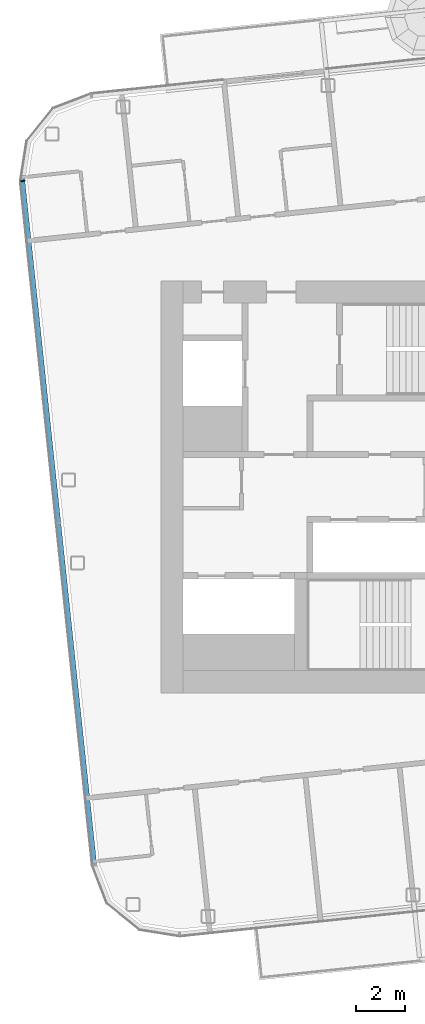
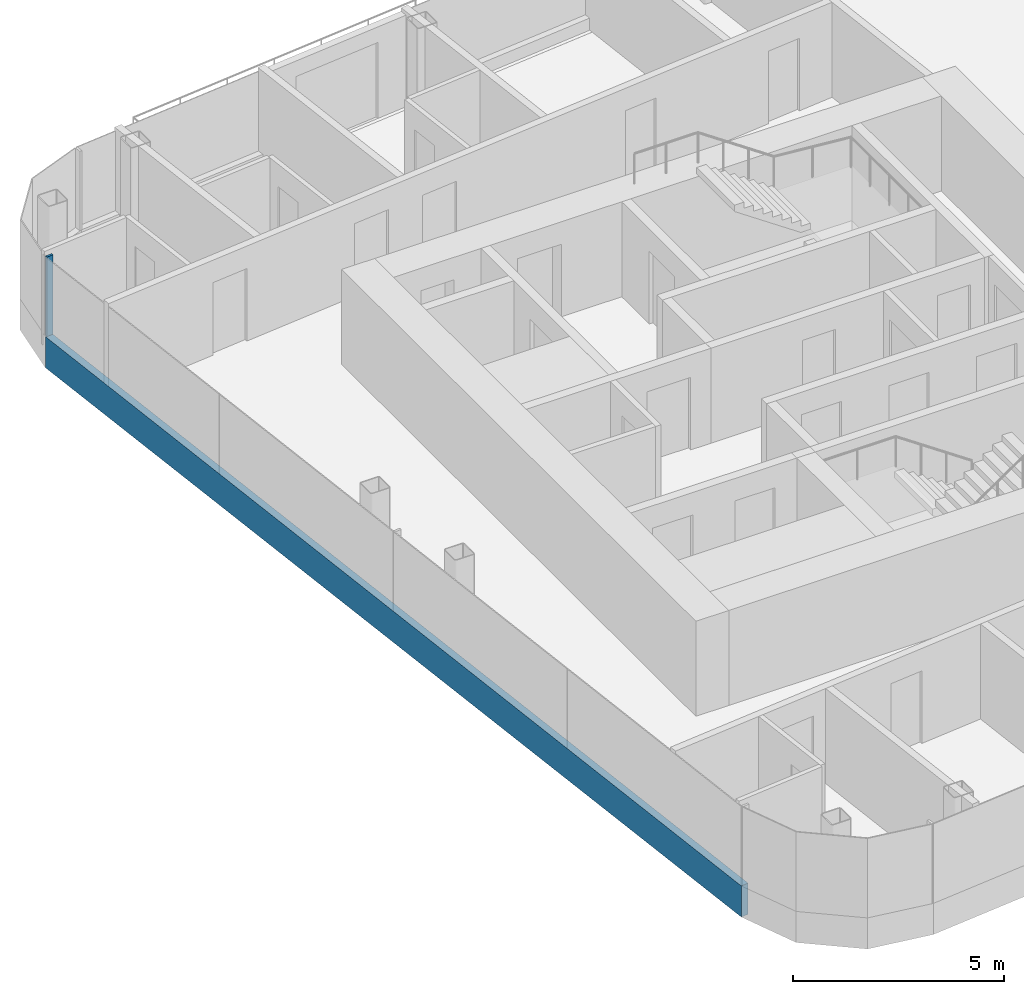
# One storey, part 4 of 30: 2 members, 1 element without a shape of its own.
"""IFC4 building model written with IfcOpenShell, lengths in metres."""

import ifcopenshell
import ifcopenshell.guid

model = None  # the IFC model being written
_history = None  # IfcOwnerHistory: only IFC2X3 demands one
_inside = {}  # id of a spatial element -> (the spatial element, [elements in it])
_under = {}  # id of a project, library or spatial element -> (it, [spatial elements below it])
_declared = {}  # id of a project -> (the project, [libraries it declares])
_typed = {}  # id of a type object -> (the type object, [elements of that type])
_made_of = {}  # id of a material, layer set ... -> (it, [elements and type objects made of it])


def new_model(schema):
    """Start an empty IFC model of exactly this schema.

    Asked for "IFC4X3", IfcOpenShell would pick the latest addendum, in which some entities
    have other attributes; the version numbers below select the first issue.
    IFC2X3 requires an IfcOwnerHistory on every rooted entity: one is made here for all.
    """
    global model, _history
    if schema == "IFC4X3":
        model = ifcopenshell.file(schema_version=(4, 3, 0, 0))
    else:
        model = ifcopenshell.file(schema=schema)
    _inside.clear()
    _under.clear()
    _declared.clear()
    _typed.clear()
    _made_of.clear()
    _history = None
    if model.schema == "IFC2X3":
        org = make("IfcOrganization", Name="unknown")
        user = make(
            "IfcPersonAndOrganization",
            ThePerson=make("IfcPerson", FamilyName="unknown"),
            TheOrganization=org,
        )
        app = make(
            "IfcApplication",
            ApplicationDeveloper=org,
            Version="unknown",
            ApplicationFullName="unknown",
            ApplicationIdentifier="unknown",
        )
        _history = make(
            "IfcOwnerHistory",
            OwningUser=user,
            OwningApplication=app,
            ChangeAction="ADDED",
            CreationDate=0,
        )
    return model


def make(cls, **values):
    """One entity of the class cls with the attributes given. An attribute that is None is left unset."""
    return model.create_entity(
        cls, **{name: value for name, value in values.items() if value is not None}
    )


def rooted(cls, **values):
    """An entity with a GlobalId (a new one), such as an element, a storey or a relation."""
    return make(cls, GlobalId=ifcopenshell.guid.new(), OwnerHistory=_history, **values)


def si_unit(unit_type, name, prefix=None):
    """IfcSIUnit, for example si_unit("LENGTHUNIT", "METRE", prefix="MILLI")."""
    return make("IfcSIUnit", UnitType=unit_type, Prefix=prefix, Name=name)


def assignment(units):
    """IfcUnitAssignment: the units of a project."""
    return None if units is None else make("IfcUnitAssignment", Units=units)


def point(xyz):
    """IfcCartesianPoint."""
    return None if xyz is None else make("IfcCartesianPoint", Coordinates=xyz)


def direction(xyz):
    """IfcDirection."""
    return None if xyz is None else make("IfcDirection", DirectionRatios=xyz)


def frame(location, z_axis=None, x_axis=None):
    """IfcAxis2Placement3D, a coordinate frame: its origin and axes. An axis left out is left unset."""
    return make(
        "IfcAxis2Placement3D",
        Location=point(location),
        Axis=direction(z_axis),
        RefDirection=direction(x_axis),
    )


def frame_2d(location, x_axis=None):
    """IfcAxis2Placement2D, a coordinate frame in the plane: its origin and x axis."""
    return make(
        "IfcAxis2Placement2D", Location=point(location), RefDirection=direction(x_axis)
    )


def origin():
    """The frame at (0, 0, 0) with its axes left unset."""
    return frame((0.0, 0.0, 0.0))


def origin_2d():
    """The frame at (0, 0) in the plane with its x axis left unset."""
    return frame_2d((0.0, 0.0))


def place(relative_to, where):
    """IfcLocalPlacement: puts the frame where relative to a parent placement (None: the world)."""
    return make(
        "IfcLocalPlacement", PlacementRelTo=relative_to, RelativePlacement=where
    )


def context(
    kind, dimensions, precision=None, world=None, true_north=None, identifier=None
):
    """IfcGeometricRepresentationContext, for example the 3D "Model" context."""
    return make(
        "IfcGeometricRepresentationContext",
        ContextIdentifier=identifier,
        ContextType=kind,
        CoordinateSpaceDimension=dimensions,
        Precision=precision,
        WorldCoordinateSystem=world,
        TrueNorth=true_north,
    )


def subcontext(parent, identifier, kind, view, scale=None):
    """IfcGeometricRepresentationSubContext, for example "Body" below "Model"."""
    return make(
        "IfcGeometricRepresentationSubContext",
        ContextIdentifier=identifier,
        ContextType=kind,
        ParentContext=parent,
        TargetScale=scale,
        TargetView=view,
    )


def project(units=None, contexts=None):
    """IfcProject with its units and contexts."""
    return rooted(
        "IfcProject",
        Name="project",
        RepresentationContexts=contexts,
        UnitsInContext=assignment(units),
    )


def spatial(cls, under=None, at=None, **own):
    """A site, building, storey or space (cls), placed at a placement, below another one or the project."""
    s = rooted(cls, ObjectPlacement=at, **own)
    if under is not None:
        _under.setdefault(under.id(), (under, []))[1].append(s)
    return s


def profile(cls, at=None, kind="AREA", **sizes):
    """A parametric profile (cls). Its sizes go by their IFC names, for example OverallWidth=200.0."""
    return make(cls, ProfileType=kind, Position=at, **sizes)


def rectangle(**sizes):
    """IfcRectangleProfileDef."""
    return profile("IfcRectangleProfileDef", **sizes)


def extrude(swept, where, along, depth):
    """IfcExtrudedAreaSolid: the profile swept, set in the frame where, extruded along a direction by depth."""
    return make(
        "IfcExtrudedAreaSolid",
        SweptArea=swept,
        Position=where,
        ExtrudedDirection=direction(along),
        Depth=depth,
    )


def shape(context_of_items, identifier, shape_type, items):
    """IfcShapeRepresentation: the items that make up one representation, for example the "Body"."""
    return make(
        "IfcShapeRepresentation",
        ContextOfItems=context_of_items,
        RepresentationIdentifier=identifier,
        RepresentationType=shape_type,
        Items=items,
    )


def material(Name=None, Category=None):
    """IfcMaterial."""
    return make("IfcMaterial", Name=Name, Category=Category)


def layer(
    of_material, thickness, ventilated=None, Name=None, Category=None, Priority=None
):
    """IfcMaterialLayer: one layer of a wall or slab, of a material (None: an air gap)."""
    return make(
        "IfcMaterialLayer",
        Material=of_material,
        LayerThickness=thickness,
        IsVentilated=ventilated,
        Name=Name,
        Category=Category,
        Priority=Priority,
    )


def layer_set(layers, Name=None):
    """IfcMaterialLayerSet."""
    return make("IfcMaterialLayerSet", MaterialLayers=layers, LayerSetName=Name)


def material_profile(
    of_material, cross_section, Name=None, Category=None, Priority=None
):
    """IfcMaterialProfile: a cross section and its material."""
    return make(
        "IfcMaterialProfile",
        Name=Name,
        Material=of_material,
        Profile=cross_section,
        Priority=Priority,
        Category=Category,
    )


def profile_set(profiles, Name=None, composite=None):
    """IfcMaterialProfileSet."""
    return make(
        "IfcMaterialProfileSet",
        Name=Name,
        MaterialProfiles=profiles,
        CompositeProfile=composite,
    )


def made_of(thing, what):
    """Note that an element or type object is made of a material, layer set ...; save() writes the relation."""
    if what is not None:
        _made_of.setdefault(what.id(), (what, []))[1].append(thing)
    return thing


def type_object(cls, material=None, **own):
    """A type object (cls), such as IfcWallType, which elements share."""
    return made_of(rooted(cls, **own), material)


def element(
    cls,
    number,
    at=None,
    inside=None,
    cuts=None,
    type_object=None,
    material=None,
    context=None,
    identifier="Body",
    shape_type=None,
    held_by="IfcProductDefinitionShape",
    body=None,
    shapes=None,
    **own,
):
    """One element of the class cls, such as IfcWall. Its Tag is "e" and its number.

    at: its placement. inside: the storey or other place that contains it. cuts: it is an
    opening in that element (IfcRelVoidsElement). A single representation is given by context,
    identifier, shape_type and body (its items); several are given by shapes. held_by: the class
    of the entity that holds the representations. save() writes the other relations.
    """
    e = rooted(cls, Tag="e%d" % number, ObjectPlacement=at, **own)
    if body is not None:
        shapes = [shape(context, identifier, shape_type, body)]
    if shapes is not None:
        e.Representation = make(held_by, Representations=shapes)
    if inside is not None:
        _inside.setdefault(inside.id(), (inside, []))[1].append(e)
    if cuts is not None:
        rooted(
            "IfcRelVoidsElement", RelatingBuildingElement=cuts, RelatedOpeningElement=e
        )
    if type_object is not None:
        _typed.setdefault(type_object.id(), (type_object, []))[1].append(e)
    return made_of(e, material)


def aggregate(whole, parts):
    """IfcRelAggregates: a whole, such as a stair, and the parts it consists of."""
    return rooted("IfcRelAggregates", RelatingObject=whole, RelatedObjects=parts)


def save(model, path):
    """Write the relations noted so far, then the file.

    IfcRelAggregates (storeys below a building ...), IfcRelContainedInSpatialStructure (elements
    in a storey), IfcRelDefinesByType, IfcRelAssociatesMaterial and IfcRelDeclares: one each for
    every whole, place, type object, material and project.
    """
    for whole, parts in _under.values():
        aggregate(whole, parts)
    for where, things in _inside.values():
        rooted(
            "IfcRelContainedInSpatialStructure",
            RelatedElements=things,
            RelatingStructure=where,
        )
    for kind, things in _typed.values():
        rooted("IfcRelDefinesByType", RelatedObjects=things, RelatingType=kind)
    for what, things in _made_of.values():
        rooted("IfcRelAssociatesMaterial", RelatedObjects=things, RelatingMaterial=what)
    for by, libraries in _declared.values():
        rooted("IfcRelDeclares", RelatingContext=by, RelatedDefinitions=libraries)
    model.write(path)


model = new_model("IFC4")

# Units and contexts
model_context = context("Model", 3, precision=1e-05, world=origin(), true_north=direction((0.0, 1.0)))
body_context = subcontext(model_context, "Body", "Model", "MODEL_VIEW")
ifc_project = project(units=[si_unit("LENGTHUNIT", "METRE"), si_unit("AREAUNIT", "SQUARE_METRE"), si_unit("VOLUMEUNIT", "CUBIC_METRE"), si_unit("PLANEANGLEUNIT", "RADIAN"), si_unit("MASSUNIT", "GRAM", prefix="KILO")], contexts=[model_context])

# Site, building, storey
site_placement = place(None, origin())
site = spatial("IfcSite", under=ifc_project, at=site_placement, CompositionType="ELEMENT")
building_placement = place(site_placement, origin())
building = spatial("IfcBuilding", under=site, at=building_placement, Name="Hakoniwa Tower and Hamabe Station Hall", CompositionType="ELEMENT")
storey_placement = place(building_placement, frame((0.0, 0.0, 245.39990234375)))
storey = spatial("IfcBuildingStorey", under=building, at=storey_placement, Name="L69", CompositionType="ELEMENT", Elevation=245.39990234375)

# Curtain wall, members
ifc_material_1 = material(Name="Dark low-e laminated glass", Category="glass")
ifc_layer = layer(ifc_material_1, 0.199951171875)
ifc_layer_set = layer_set([ifc_layer], Name="CW-1 UNITISED GUEST")
curtain_wall_type = type_object("IfcCurtainWallType", Name="CW-1 UNITISED GUEST", PredefinedType="NOTDEFINED", material=ifc_layer_set)
curtain_wall_placement = place(storey_placement, origin())
curtain_wall = element("IfcCurtainWall", 1, at=curtain_wall_placement, inside=storey, type_object=curtain_wall_type, Name="CW-1 curtain wall", PredefinedType="NOTDEFINED")
ifc_material_2 = material(Name="Aluminium 6063-T5 black anodised", Category="aluminium")
ifc_material_profile_1 = material_profile(ifc_material_2, rectangle(XDim=0.199951171875, YDim=0.89990234375, at=origin_2d()), Name="CW SLAB-EDGE BAND 900X200")
ifc_profile_set_1 = profile_set([ifc_material_profile_1], Name="Aluminium 6063-T5 black anodised")
member_type_1 = type_object("IfcMemberType", Name="CW SLAB-EDGE BAND 900X200", PredefinedType="USERDEFINED", material=ifc_profile_set_1)
member_1_placement = place(storey_placement, frame((-39.25927734375, 12.490478515625, -0.099853515625), z_axis=(0.104529086463, -0.994521829868, 0.0), x_axis=(0.994521829868, 0.104529086463, 0.0)))
member_1 = element("IfcMember", 2, at=member_1_placement, type_object=member_type_1, Name="CW-1 transom", ObjectType="TRANSOM", PredefinedType="USERDEFINED", context=body_context, shape_type="SweptSolid", body=[
    extrude(rectangle(XDim=0.199951171875, YDim=0.89990234375, at=origin_2d()), origin(), (0.0, 0.0, 1.0), 28.078857421875),
])
ifc_material_3 = material(Name="Aluminium 6063-T5 black anodised", Category="aluminium")
ifc_material_profile_2 = material_profile(ifc_material_3, rectangle(XDim=0.06005859375, YDim=0.179931640625, at=origin_2d()), Name="CW-1 MULLION 60X180")
ifc_profile_set_2 = profile_set([ifc_material_profile_2], Name="Aluminium 6063-T5 black anodised")
member_type_2 = type_object("IfcMemberType", Name="CW-1 MULLION 60X180", PredefinedType="MULLION", material=ifc_profile_set_2)
member_2_placement = place(storey_placement, frame((-39.241455078125, 12.492431640625, 0.35009765625), z_axis=(0.0, 0.0, 1.0), x_axis=(0.104528468631, -0.994521894805, 0.0)))
member_2 = element("IfcMember", 3, at=member_2_placement, type_object=member_type_2, Name="CW-1 mullion", PredefinedType="MULLION", context=body_context, shape_type="SweptSolid", body=[
    extrude(rectangle(XDim=0.06005859375, YDim=0.179931640625, at=origin_2d()), origin(), (0.0, 0.0, 1.0), 2.300048828125),
])
aggregate(curtain_wall, [member_2, member_1])

save(model, "model.ifc")
